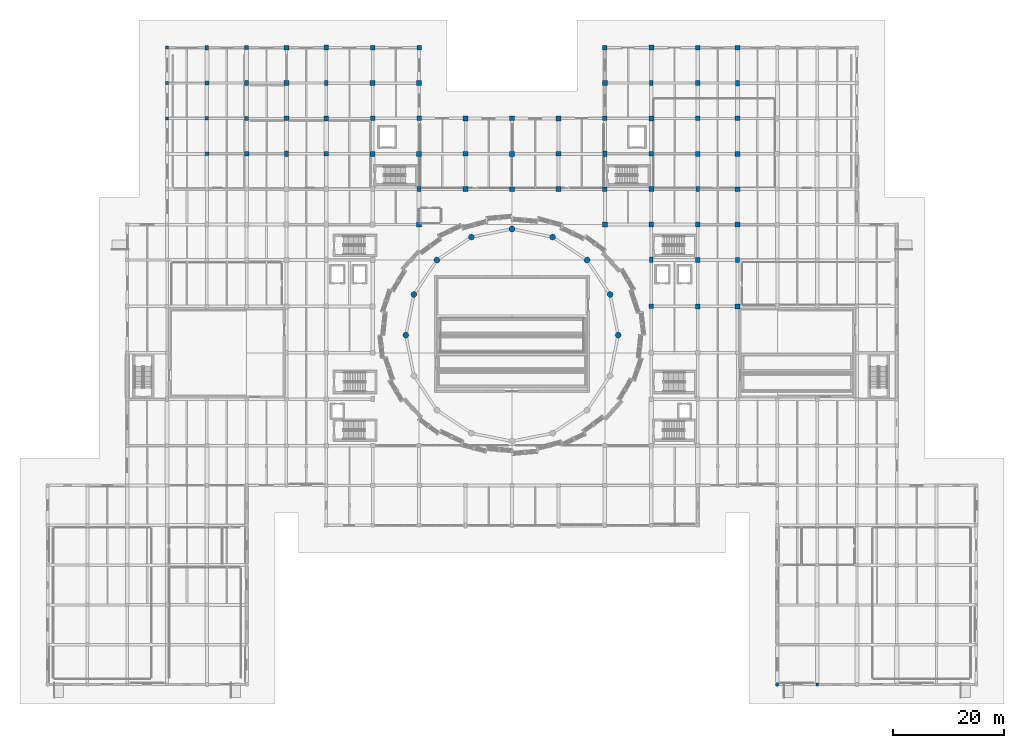
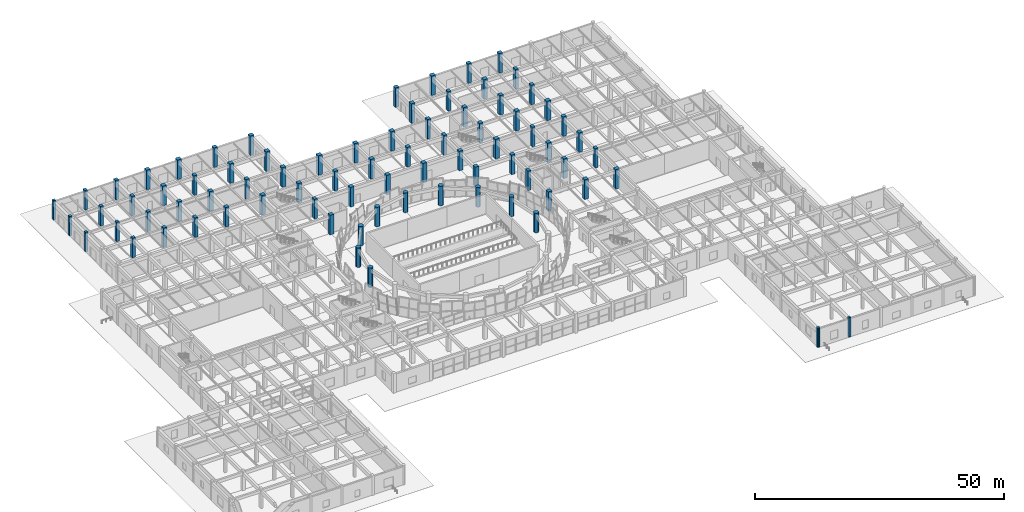
# One storey, part 2 of 72: 79 columns.
"""IFC4 building model written with IfcOpenShell, lengths in metres."""

import ifcopenshell
import ifcopenshell.guid

model = None  # the IFC model being written
_history = None  # IfcOwnerHistory: only IFC2X3 demands one
_inside = {}  # id of a spatial element -> (the spatial element, [elements in it])
_under = {}  # id of a project, library or spatial element -> (it, [spatial elements below it])
_declared = {}  # id of a project -> (the project, [libraries it declares])
_typed = {}  # id of a type object -> (the type object, [elements of that type])
_made_of = {}  # id of a material, layer set ... -> (it, [elements and type objects made of it])


def new_model(schema):
    """Start an empty IFC model of exactly this schema.

    Asked for "IFC4X3", IfcOpenShell would pick the latest addendum, in which some entities
    have other attributes; the version numbers below select the first issue.
    IFC2X3 requires an IfcOwnerHistory on every rooted entity: one is made here for all.
    """
    global model, _history
    if schema == "IFC4X3":
        model = ifcopenshell.file(schema_version=(4, 3, 0, 0))
    else:
        model = ifcopenshell.file(schema=schema)
    _inside.clear()
    _under.clear()
    _declared.clear()
    _typed.clear()
    _made_of.clear()
    _history = None
    if model.schema == "IFC2X3":
        org = make("IfcOrganization", Name="unknown")
        user = make(
            "IfcPersonAndOrganization",
            ThePerson=make("IfcPerson", FamilyName="unknown"),
            TheOrganization=org,
        )
        app = make(
            "IfcApplication",
            ApplicationDeveloper=org,
            Version="unknown",
            ApplicationFullName="unknown",
            ApplicationIdentifier="unknown",
        )
        _history = make(
            "IfcOwnerHistory",
            OwningUser=user,
            OwningApplication=app,
            ChangeAction="ADDED",
            CreationDate=0,
        )
    return model


def make(cls, **values):
    """One entity of the class cls with the attributes given. An attribute that is None is left unset."""
    return model.create_entity(
        cls, **{name: value for name, value in values.items() if value is not None}
    )


def rooted(cls, **values):
    """An entity with a GlobalId (a new one), such as an element, a storey or a relation."""
    return make(cls, GlobalId=ifcopenshell.guid.new(), OwnerHistory=_history, **values)


def si_unit(unit_type, name, prefix=None):
    """IfcSIUnit, for example si_unit("LENGTHUNIT", "METRE", prefix="MILLI")."""
    return make("IfcSIUnit", UnitType=unit_type, Prefix=prefix, Name=name)


def assignment(units):
    """IfcUnitAssignment: the units of a project."""
    return None if units is None else make("IfcUnitAssignment", Units=units)


def point(xyz):
    """IfcCartesianPoint."""
    return None if xyz is None else make("IfcCartesianPoint", Coordinates=xyz)


def direction(xyz):
    """IfcDirection."""
    return None if xyz is None else make("IfcDirection", DirectionRatios=xyz)


def frame(location, z_axis=None, x_axis=None):
    """IfcAxis2Placement3D, a coordinate frame: its origin and axes. An axis left out is left unset."""
    return make(
        "IfcAxis2Placement3D",
        Location=point(location),
        Axis=direction(z_axis),
        RefDirection=direction(x_axis),
    )


def frame_2d(location, x_axis=None):
    """IfcAxis2Placement2D, a coordinate frame in the plane: its origin and x axis."""
    return make(
        "IfcAxis2Placement2D", Location=point(location), RefDirection=direction(x_axis)
    )


def origin():
    """The frame at (0, 0, 0) with its axes left unset."""
    return frame((0.0, 0.0, 0.0))


def origin_2d():
    """The frame at (0, 0) in the plane with its x axis left unset."""
    return frame_2d((0.0, 0.0))


def place(relative_to, where):
    """IfcLocalPlacement: puts the frame where relative to a parent placement (None: the world)."""
    return make(
        "IfcLocalPlacement", PlacementRelTo=relative_to, RelativePlacement=where
    )


def context(
    kind, dimensions, precision=None, world=None, true_north=None, identifier=None
):
    """IfcGeometricRepresentationContext, for example the 3D "Model" context."""
    return make(
        "IfcGeometricRepresentationContext",
        ContextIdentifier=identifier,
        ContextType=kind,
        CoordinateSpaceDimension=dimensions,
        Precision=precision,
        WorldCoordinateSystem=world,
        TrueNorth=true_north,
    )


def subcontext(parent, identifier, kind, view, scale=None):
    """IfcGeometricRepresentationSubContext, for example "Body" below "Model"."""
    return make(
        "IfcGeometricRepresentationSubContext",
        ContextIdentifier=identifier,
        ContextType=kind,
        ParentContext=parent,
        TargetScale=scale,
        TargetView=view,
    )


def project(units=None, contexts=None):
    """IfcProject with its units and contexts."""
    return rooted(
        "IfcProject",
        Name="project",
        RepresentationContexts=contexts,
        UnitsInContext=assignment(units),
    )


def spatial(cls, under=None, at=None, **own):
    """A site, building, storey or space (cls), placed at a placement, below another one or the project."""
    s = rooted(cls, ObjectPlacement=at, **own)
    if under is not None:
        _under.setdefault(under.id(), (under, []))[1].append(s)
    return s


def profile(cls, at=None, kind="AREA", **sizes):
    """A parametric profile (cls). Its sizes go by their IFC names, for example OverallWidth=200.0."""
    return make(cls, ProfileType=kind, Position=at, **sizes)


def rectangle(**sizes):
    """IfcRectangleProfileDef."""
    return profile("IfcRectangleProfileDef", **sizes)


def circle(**sizes):
    """IfcCircleProfileDef."""
    return profile("IfcCircleProfileDef", **sizes)


def extrude(swept, where, along, depth):
    """IfcExtrudedAreaSolid: the profile swept, set in the frame where, extruded along a direction by depth."""
    return make(
        "IfcExtrudedAreaSolid",
        SweptArea=swept,
        Position=where,
        ExtrudedDirection=direction(along),
        Depth=depth,
    )


def shape(context_of_items, identifier, shape_type, items):
    """IfcShapeRepresentation: the items that make up one representation, for example the "Body"."""
    return make(
        "IfcShapeRepresentation",
        ContextOfItems=context_of_items,
        RepresentationIdentifier=identifier,
        RepresentationType=shape_type,
        Items=items,
    )


def material(Name=None, Category=None):
    """IfcMaterial."""
    return make("IfcMaterial", Name=Name, Category=Category)


def material_profile(
    of_material, cross_section, Name=None, Category=None, Priority=None
):
    """IfcMaterialProfile: a cross section and its material."""
    return make(
        "IfcMaterialProfile",
        Name=Name,
        Material=of_material,
        Profile=cross_section,
        Priority=Priority,
        Category=Category,
    )


def profile_set(profiles, Name=None, composite=None):
    """IfcMaterialProfileSet."""
    return make(
        "IfcMaterialProfileSet",
        Name=Name,
        MaterialProfiles=profiles,
        CompositeProfile=composite,
    )


def made_of(thing, what):
    """Note that an element or type object is made of a material, layer set ...; save() writes the relation."""
    if what is not None:
        _made_of.setdefault(what.id(), (what, []))[1].append(thing)
    return thing


def type_object(cls, material=None, **own):
    """A type object (cls), such as IfcWallType, which elements share."""
    return made_of(rooted(cls, **own), material)


def element(
    cls,
    number,
    at=None,
    inside=None,
    cuts=None,
    type_object=None,
    material=None,
    context=None,
    identifier="Body",
    shape_type=None,
    held_by="IfcProductDefinitionShape",
    body=None,
    shapes=None,
    **own,
):
    """One element of the class cls, such as IfcWall. Its Tag is "e" and its number.

    at: its placement. inside: the storey or other place that contains it. cuts: it is an
    opening in that element (IfcRelVoidsElement). A single representation is given by context,
    identifier, shape_type and body (its items); several are given by shapes. held_by: the class
    of the entity that holds the representations. save() writes the other relations.
    """
    e = rooted(cls, Tag="e%d" % number, ObjectPlacement=at, **own)
    if body is not None:
        shapes = [shape(context, identifier, shape_type, body)]
    if shapes is not None:
        e.Representation = make(held_by, Representations=shapes)
    if inside is not None:
        _inside.setdefault(inside.id(), (inside, []))[1].append(e)
    if cuts is not None:
        rooted(
            "IfcRelVoidsElement", RelatingBuildingElement=cuts, RelatedOpeningElement=e
        )
    if type_object is not None:
        _typed.setdefault(type_object.id(), (type_object, []))[1].append(e)
    return made_of(e, material)


def aggregate(whole, parts):
    """IfcRelAggregates: a whole, such as a stair, and the parts it consists of."""
    return rooted("IfcRelAggregates", RelatingObject=whole, RelatedObjects=parts)


def save(model, path):
    """Write the relations noted so far, then the file.

    IfcRelAggregates (storeys below a building ...), IfcRelContainedInSpatialStructure (elements
    in a storey), IfcRelDefinesByType, IfcRelAssociatesMaterial and IfcRelDeclares: one each for
    every whole, place, type object, material and project.
    """
    for whole, parts in _under.values():
        aggregate(whole, parts)
    for where, things in _inside.values():
        rooted(
            "IfcRelContainedInSpatialStructure",
            RelatedElements=things,
            RelatingStructure=where,
        )
    for kind, things in _typed.values():
        rooted("IfcRelDefinesByType", RelatedObjects=things, RelatingType=kind)
    for what, things in _made_of.values():
        rooted("IfcRelAssociatesMaterial", RelatedObjects=things, RelatingMaterial=what)
    for by, libraries in _declared.values():
        rooted("IfcRelDeclares", RelatingContext=by, RelatedDefinitions=libraries)
    model.write(path)


model = new_model("IFC4")

# Units and contexts
model_context = context("Model", 3, precision=1e-05, world=origin(), true_north=direction((0.0, 1.0)))
body_context = subcontext(model_context, "Body", "Model", "MODEL_VIEW")
ifc_project = project(units=[si_unit("LENGTHUNIT", "METRE"), si_unit("AREAUNIT", "SQUARE_METRE"), si_unit("VOLUMEUNIT", "CUBIC_METRE"), si_unit("PLANEANGLEUNIT", "RADIAN"), si_unit("MASSUNIT", "GRAM", prefix="KILO")], contexts=[model_context])

# Site, building, storey
site_placement = place(None, origin())
site = spatial("IfcSite", under=ifc_project, at=site_placement, CompositionType="ELEMENT")
building_placement = place(site_placement, origin())
building = spatial("IfcBuilding", under=site, at=building_placement, Name="Korsvaeld Concert Hall", CompositionType="ELEMENT")
storey_placement = place(building_placement, origin())
storey = spatial("IfcBuildingStorey", under=building, at=storey_placement, Name="L00", CompositionType="ELEMENT", Elevation=0.0)

# Columns
ifc_material = material(Name="Concrete C40/50", Category="concrete")
ifc_material_profile_1 = material_profile(ifc_material, circle(Radius=0.324951171875, at=origin_2d()), Name="RC D650")
ifc_profile_set_1 = profile_set([ifc_material_profile_1], Name="Concrete C40/50")
column_type_1 = type_object("IfcColumnType", Name="COL-COLO-D650", PredefinedType="COLUMN", material=ifc_profile_set_1)
column_1_placement = place(storey_placement, frame((132.0, 0.0, 0.0), z_axis=(0.0, 0.0, 1.0), x_axis=(1.0, 0.0, 0.0)))
element("IfcColumn", 1, at=column_1_placement, inside=storey, type_object=column_type_1, Name="Column 18/A L00", PredefinedType="COLUMN", context=body_context, shape_type="SweptSolid", body=[
    extrude(circle(Radius=0.324951171875, at=origin_2d()), origin(), (0.0, 0.0, 1.0), 4.800048828125),
])
ifc_material_profile_2 = material_profile(ifc_material, circle(Radius=0.52490234375, at=origin_2d()), Name="RC D1050")
ifc_profile_set_2 = profile_set([ifc_material_profile_2], Name="Concrete C40/50")
column_type_2 = type_object("IfcColumnType", Name="COL-DRUM-D1050", PredefinedType="COLUMN", material=ifc_profile_set_2)
for number, where, z_axis, x_axis, name in (
    (2, (103.199951171875, 63.199951171875, 0.0), (0.0, 0.0, 1.0), (1.0, 0.0, 0.0), "Drum column D01 L00"),
    (3, (101.738525390625, 70.547607421875, 0.0), (0.0, 0.0, 1.0), (1.0, 0.0, 0.0), "Drum column D02 L00"),
    (4, (97.576416015625, 76.776611328125, 0.0), (0.0, 0.0, 1.0), (1.0, 0.0, 0.0), "Drum column D03 L00"),
    (5, (91.347412109375, 80.9384765625, 0.0), (0.0, 0.0, 1.0), (1.0, 0.0, 0.0), "Drum column D04 L00"),
    (6, (84.0, 82.39990234375, 0.0), (0.0, 0.0, 1.0), (1.0, 0.0, 0.0), "Drum column D05 L00"),
    (7, (76.652587890625, 80.9384765625, 0.0), (0.0, 0.0, 1.0), (1.0, 0.0, 0.0), "Drum column D06 L00"),
    (8, (70.423583984375, 76.776611328125, 0.0), (0.0, 0.0, 1.0), (1.0, 0.0, 0.0), "Drum column D07 L00"),
    (9, (66.261474609375, 70.547607421875, 0.0), (0.0, 0.0, 1.0), (1.0, 0.0, 0.0), "Drum column D08 L00"),
    (10, (64.800048828125, 63.199951171875, 0.0), (0.0, 0.0, 1.0), (1.0, 0.0, 0.0), "Drum column D09 L00"),
):
    element("IfcColumn", number, at=place(storey_placement, frame(where, z_axis=z_axis, x_axis=x_axis)), inside=storey, type_object=column_type_2, Name=name, PredefinedType="COLUMN", context=body_context, shape_type="SweptSolid", body=[
        extrude(circle(Radius=0.52490234375, at=origin_2d()), origin(), (0.0, 0.0, 1.0), 4.800048828125),
    ])
ifc_material_profile_3 = material_profile(ifc_material, rectangle(XDim=0.5, YDim=0.5, at=origin_2d()), Name="RC 500x500")
ifc_profile_set_3 = profile_set([ifc_material_profile_3], Name="Concrete C40/50")
column_type_3 = type_object("IfcColumnType", Name="COL-RC-500x500", PredefinedType="COLUMN", material=ifc_profile_set_3)
column_2_placement = place(storey_placement, frame((139.199951171875, 0.0, 0.0), z_axis=(0.0, 0.0, 1.0), x_axis=(1.0, 0.0, 0.0)))
element("IfcColumn", 11, at=column_2_placement, inside=storey, type_object=column_type_3, Name="Column 19/A L00", PredefinedType="COLUMN", context=body_context, shape_type="SweptSolid", body=[
    extrude(rectangle(XDim=0.5, YDim=0.5, at=origin_2d()), origin(), (0.0, 0.0, 1.0), 4.800048828125),
])
ifc_material_profile_4 = material_profile(ifc_material, rectangle(XDim=0.550048828125, YDim=0.550048828125, at=origin_2d()), Name="RC 550x550")
ifc_profile_set_4 = profile_set([ifc_material_profile_4], Name="Concrete C40/50")
column_type_4 = type_object("IfcColumnType", Name="COL-RC-550x550", PredefinedType="COLUMN", material=ifc_profile_set_4)
for number, where, z_axis, x_axis, name in (
    (12, (21.60009765625, 102.39990234375, 0.0), (0.0, 0.0, 1.0), (1.0, 0.0, 0.0), "Column 4/Q L00"),
    (13, (21.60009765625, 115.199951171875, 0.0), (0.0, 0.0, 1.0), (1.0, 0.0, 0.0), "Column 4/S L00"),
):
    element("IfcColumn", number, at=place(storey_placement, frame(where, z_axis=z_axis, x_axis=x_axis)), inside=storey, type_object=column_type_4, Name=name, PredefinedType="COLUMN", context=body_context, shape_type="SweptSolid", body=[
        extrude(rectangle(XDim=0.550048828125, YDim=0.550048828125, at=origin_2d()), origin(), (0.0, 0.0, 1.0), 4.800048828125),
    ])
ifc_material_profile_5 = material_profile(ifc_material, rectangle(XDim=0.60009765625, YDim=0.60009765625, at=origin_2d()), Name="RC 600x600")
ifc_profile_set_5 = profile_set([ifc_material_profile_5], Name="Concrete C40/50")
column_type_5 = type_object("IfcColumnType", Name="COL-RC-600x600", PredefinedType="COLUMN", material=ifc_profile_set_5)
column_3_placement = place(storey_placement, frame((21.60009765625, 108.800048828125, 0.0), z_axis=(0.0, 0.0, 1.0), x_axis=(1.0, 0.0, 0.0)))
element("IfcColumn", 14, at=column_3_placement, inside=storey, type_object=column_type_5, Name="Column 4/R L00", PredefinedType="COLUMN", context=body_context, shape_type="SweptSolid", body=[
    extrude(rectangle(XDim=0.60009765625, YDim=0.60009765625, at=origin_2d()), origin(), (0.0, 0.0, 1.0), 4.800048828125),
])
ifc_material_profile_6 = material_profile(ifc_material, rectangle(XDim=0.60009765625, YDim=0.800048828125, at=origin_2d()), Name="RC 600x800")
ifc_profile_set_6 = profile_set([ifc_material_profile_6], Name="Concrete C40/50")
column_type_6 = type_object("IfcColumnType", Name="COL-RC-600x800", PredefinedType="COLUMN", material=ifc_profile_set_6)
column_4_placement = place(storey_placement, frame((28.800048828125, 115.199951171875, 0.0), z_axis=(0.0, 0.0, 1.0), x_axis=(1.0, 0.0, 0.0)))
element("IfcColumn", 15, at=column_4_placement, inside=storey, type_object=column_type_6, Name="Column 5/S L00", PredefinedType="COLUMN", context=body_context, shape_type="SweptSolid", body=[
    extrude(rectangle(XDim=0.60009765625, YDim=0.800048828125, at=origin_2d()), origin(), (0.0, 0.0, 1.0), 4.800048828125),
])
ifc_material_profile_7 = material_profile(ifc_material, rectangle(XDim=0.64990234375, YDim=0.64990234375, at=origin_2d()), Name="RC 650x650")
ifc_profile_set_7 = profile_set([ifc_material_profile_7], Name="Concrete C40/50")
column_type_7 = type_object("IfcColumnType", Name="COL-RC-650x650", PredefinedType="COLUMN", material=ifc_profile_set_7)
column_5_placement = place(storey_placement, frame((28.800048828125, 102.39990234375, 0.0), z_axis=(0.0, 0.0, 1.0), x_axis=(1.0, 0.0, 0.0)))
element("IfcColumn", 16, at=column_5_placement, inside=storey, type_object=column_type_7, Name="Column 5/Q L00", PredefinedType="COLUMN", context=body_context, shape_type="SweptSolid", body=[
    extrude(rectangle(XDim=0.64990234375, YDim=0.64990234375, at=origin_2d()), origin(), (0.0, 0.0, 1.0), 4.800048828125),
])
ifc_material_profile_8 = material_profile(ifc_material, rectangle(XDim=0.699951171875, YDim=1.0, at=origin_2d()), Name="RC 700x1000")
ifc_profile_set_8 = profile_set([ifc_material_profile_8], Name="Concrete C40/50")
column_type_8 = type_object("IfcColumnType", Name="COL-RC-700x1000", PredefinedType="COLUMN", material=ifc_profile_set_8)
for number, where, z_axis, x_axis, name in (
    (17, (100.800048828125, 96.0, 0.0), (0.0, 0.0, 1.0), (1.0, 0.0, 0.0), "Column 14/P L00"),
    (18, (109.199951171875, 76.800048828125, 0.0), (0.0, 0.0, 1.0), (1.0, 0.0, 0.0), "Column 15/L L00"),
    (19, (124.800048828125, 108.800048828125, 0.0), (0.0, 0.0, 1.0), (1.0, 0.0, 0.0), "Column 17/R L00"),
    (20, (43.199951171875, 96.0, 0.0), (0.0, 0.0, 1.0), (1.0, 0.0, 0.0), "Column 7/P L00"),
):
    element("IfcColumn", number, at=place(storey_placement, frame(where, z_axis=z_axis, x_axis=x_axis)), inside=storey, type_object=column_type_8, Name=name, PredefinedType="COLUMN", context=body_context, shape_type="SweptSolid", body=[
        extrude(rectangle(XDim=0.699951171875, YDim=1.0, at=origin_2d()), origin(), (0.0, 0.0, 1.0), 4.800048828125),
    ])
ifc_material_profile_9 = material_profile(ifc_material, rectangle(XDim=0.699951171875, YDim=0.699951171875, at=origin_2d()), Name="RC 700x700")
ifc_profile_set_9 = profile_set([ifc_material_profile_9], Name="Concrete C40/50")
column_type_9 = type_object("IfcColumnType", Name="COL-RC-700x700", PredefinedType="COLUMN", material=ifc_profile_set_9)
for number, where, z_axis, x_axis, name in (
    (21, (28.800048828125, 96.0, 0.0), (0.0, 0.0, 1.0), (1.0, 0.0, 0.0), "Column 5/P L00"),
    (22, (28.800048828125, 108.800048828125, 0.0), (0.0, 0.0, 1.0), (1.0, 0.0, 0.0), "Column 5/R L00"),
):
    element("IfcColumn", number, at=place(storey_placement, frame(where, z_axis=z_axis, x_axis=x_axis)), inside=storey, type_object=column_type_9, Name=name, PredefinedType="COLUMN", context=body_context, shape_type="SweptSolid", body=[
        extrude(rectangle(XDim=0.699951171875, YDim=0.699951171875, at=origin_2d()), origin(), (0.0, 0.0, 1.0), 4.800048828125),
    ])
ifc_material_profile_10 = material_profile(ifc_material, rectangle(XDim=0.699951171875, YDim=0.89990234375, at=origin_2d()), Name="RC 700x900")
ifc_profile_set_10 = profile_set([ifc_material_profile_10], Name="Concrete C40/50")
column_type_10 = type_object("IfcColumnType", Name="COL-RC-700x900", PredefinedType="COLUMN", material=ifc_profile_set_10)
for number, where, z_axis, x_axis, name in (
    (23, (67.199951171875, 89.60009765625, 0.0), (0.0, 0.0, 1.0), (1.0, 0.0, 0.0), "Column 10/N L00"),
    (24, (109.199951171875, 108.800048828125, 0.0), (0.0, 0.0, 1.0), (1.0, 0.0, 0.0), "Column 15/R L00"),
    (25, (117.60009765625, 89.60009765625, 0.0), (0.0, 0.0, 1.0), (1.0, 0.0, 0.0), "Column 16/N L00"),
    (26, (124.800048828125, 76.800048828125, 0.0), (0.0, 0.0, 1.0), (1.0, 0.0, 0.0), "Column 17/L L00"),
    (27, (36.0, 108.800048828125, 0.0), (0.0, 0.0, 1.0), (1.0, 0.0, 0.0), "Column 6/R L00"),
    (28, (50.39990234375, 108.800048828125, 0.0), (0.0, 0.0, 1.0), (1.0, 0.0, 0.0), "Column 8/R L00"),
):
    element("IfcColumn", number, at=place(storey_placement, frame(where, z_axis=z_axis, x_axis=x_axis)), inside=storey, type_object=column_type_10, Name=name, PredefinedType="COLUMN", context=body_context, shape_type="SweptSolid", body=[
        extrude(rectangle(XDim=0.699951171875, YDim=0.89990234375, at=origin_2d()), origin(), (0.0, 0.0, 1.0), 4.800048828125),
    ])
ifc_material_profile_11 = material_profile(ifc_material, rectangle(XDim=0.75, YDim=0.75, at=origin_2d()), Name="RC 750x750")
ifc_profile_set_11 = profile_set([ifc_material_profile_11], Name="Concrete C40/50")
column_type_11 = type_object("IfcColumnType", Name="COL-RC-750x750", PredefinedType="COLUMN", material=ifc_profile_set_11)
for number, where, z_axis, x_axis, name in (
    (29, (36.0, 102.39990234375, 0.0), (0.0, 0.0, 1.0), (1.0, 0.0, 0.0), "Column 6/Q L00"),
    (30, (36.0, 115.199951171875, 0.0), (0.0, 0.0, 1.0), (1.0, 0.0, 0.0), "Column 6/S L00"),
):
    element("IfcColumn", number, at=place(storey_placement, frame(where, z_axis=z_axis, x_axis=x_axis)), inside=storey, type_object=column_type_11, Name=name, PredefinedType="COLUMN", context=body_context, shape_type="SweptSolid", body=[
        extrude(rectangle(XDim=0.75, YDim=0.75, at=origin_2d()), origin(), (0.0, 0.0, 1.0), 4.800048828125),
    ])
ifc_material_profile_12 = material_profile(ifc_material, rectangle(XDim=0.800048828125, YDim=0.800048828125, at=origin_2d()), Name="RC 800x800")
ifc_profile_set_12 = profile_set([ifc_material_profile_12], Name="Concrete C40/50")
column_type_12 = type_object("IfcColumnType", Name="COL-RC-800x800", PredefinedType="COLUMN", material=ifc_profile_set_12)
column_6_placement = place(storey_placement, frame((36.0, 96.0, 0.0), z_axis=(0.0, 0.0, 1.0), x_axis=(1.0, 0.0, 0.0)))
element("IfcColumn", 31, at=column_6_placement, inside=storey, type_object=column_type_12, Name="Column 6/P L00", PredefinedType="COLUMN", context=body_context, shape_type="SweptSolid", body=[
    extrude(rectangle(XDim=0.800048828125, YDim=0.800048828125, at=origin_2d()), origin(), (0.0, 0.0, 1.0), 4.800048828125),
])
ifc_material_profile_13 = material_profile(ifc_material, rectangle(XDim=0.85009765625, YDim=0.85009765625, at=origin_2d()), Name="RC 850x850")
ifc_profile_set_13 = profile_set([ifc_material_profile_13], Name="Concrete C40/50")
column_type_13 = type_object("IfcColumnType", Name="COL-RC-850x850", PredefinedType="COLUMN", material=ifc_profile_set_13)
for number, where, z_axis, x_axis, name in (
    (32, (67.199951171875, 102.39990234375, 0.0), (0.0, 0.0, 1.0), (1.0, 0.0, 0.0), "Column 10/Q L00"),
    (33, (67.199951171875, 115.199951171875, 0.0), (0.0, 0.0, 1.0), (1.0, 0.0, 0.0), "Column 10/S L00"),
    (34, (75.60009765625, 96.0, 0.0), (0.0, 0.0, 1.0), (1.0, 0.0, 0.0), "Column 11/P L00"),
    (35, (84.0, 89.60009765625, 0.0), (0.0, 0.0, 1.0), (1.0, 0.0, 0.0), "Column 12/N L00"),
    (36, (84.0, 102.39990234375, 0.0), (0.0, 0.0, 1.0), (1.0, 0.0, 0.0), "Column 12/Q L00"),
    (37, (92.39990234375, 96.0, 0.0), (0.0, 0.0, 1.0), (1.0, 0.0, 0.0), "Column 13/P L00"),
    (38, (100.800048828125, 89.60009765625, 0.0), (0.0, 0.0, 1.0), (1.0, 0.0, 0.0), "Column 14/N L00"),
    (39, (100.800048828125, 102.39990234375, 0.0), (0.0, 0.0, 1.0), (1.0, 0.0, 0.0), "Column 14/Q L00"),
    (40, (100.800048828125, 115.199951171875, 0.0), (0.0, 0.0, 1.0), (1.0, 0.0, 0.0), "Column 14/S L00"),
    (41, (109.199951171875, 68.39990234375, 0.0), (0.0, 0.0, 1.0), (1.0, 0.0, 0.0), "Column 15/K L00"),
    (42, (109.199951171875, 83.199951171875, 0.0), (0.0, 0.0, 1.0), (1.0, 0.0, 0.0), "Column 15/M L00"),
    (43, (109.199951171875, 96.0, 0.0), (0.0, 0.0, 1.0), (1.0, 0.0, 0.0), "Column 15/P L00"),
    (44, (117.60009765625, 76.800048828125, 0.0), (0.0, 0.0, 1.0), (1.0, 0.0, 0.0), "Column 16/L L00"),
    (45, (117.60009765625, 102.39990234375, 0.0), (0.0, 0.0, 1.0), (1.0, 0.0, 0.0), "Column 16/Q L00"),
    (46, (117.60009765625, 115.199951171875, 0.0), (0.0, 0.0, 1.0), (1.0, 0.0, 0.0), "Column 16/S L00"),
    (47, (124.800048828125, 89.60009765625, 0.0), (0.0, 0.0, 1.0), (1.0, 0.0, 0.0), "Column 17/N L00"),
    (48, (124.800048828125, 102.39990234375, 0.0), (0.0, 0.0, 1.0), (1.0, 0.0, 0.0), "Column 17/Q L00"),
    (49, (124.800048828125, 115.199951171875, 0.0), (0.0, 0.0, 1.0), (1.0, 0.0, 0.0), "Column 17/S L00"),
    (50, (43.199951171875, 102.39990234375, 0.0), (0.0, 0.0, 1.0), (1.0, 0.0, 0.0), "Column 7/Q L00"),
    (51, (43.199951171875, 115.199951171875, 0.0), (0.0, 0.0, 1.0), (1.0, 0.0, 0.0), "Column 7/S L00"),
    (52, (50.39990234375, 96.0, 0.0), (0.0, 0.0, 1.0), (1.0, 0.0, 0.0), "Column 8/P L00"),
    (53, (58.800048828125, 102.39990234375, 0.0), (0.0, 0.0, 1.0), (1.0, 0.0, 0.0), "Column 9/Q L00"),
    (54, (58.800048828125, 115.199951171875, 0.0), (0.0, 0.0, 1.0), (1.0, 0.0, 0.0), "Column 9/S L00"),
):
    element("IfcColumn", number, at=place(storey_placement, frame(where, z_axis=z_axis, x_axis=x_axis)), inside=storey, type_object=column_type_13, Name=name, PredefinedType="COLUMN", context=body_context, shape_type="SweptSolid", body=[
        extrude(rectangle(XDim=0.85009765625, YDim=0.85009765625, at=origin_2d()), origin(), (0.0, 0.0, 1.0), 4.800048828125),
    ])
ifc_material_profile_14 = material_profile(ifc_material, rectangle(XDim=0.89990234375, YDim=0.89990234375, at=origin_2d()), Name="RC 900x900")
ifc_profile_set_14 = profile_set([ifc_material_profile_14], Name="Concrete C40/50")
column_type_14 = type_object("IfcColumnType", Name="COL-RC-900x900", PredefinedType="COLUMN", material=ifc_profile_set_14)
for number, where, z_axis, x_axis, name in (
    (55, (67.199951171875, 83.199951171875, 0.0), (0.0, 0.0, 1.0), (1.0, 0.0, 0.0), "Column 10/M L00"),
    (56, (67.199951171875, 96.0, 0.0), (0.0, 0.0, 1.0), (1.0, 0.0, 0.0), "Column 10/P L00"),
    (57, (67.199951171875, 108.800048828125, 0.0), (0.0, 0.0, 1.0), (1.0, 0.0, 0.0), "Column 10/R L00"),
    (58, (75.60009765625, 89.60009765625, 0.0), (0.0, 0.0, 1.0), (1.0, 0.0, 0.0), "Column 11/N L00"),
    (59, (75.60009765625, 102.39990234375, 0.0), (0.0, 0.0, 1.0), (1.0, 0.0, 0.0), "Column 11/Q L00"),
    (60, (84.0, 96.0, 0.0), (0.0, 0.0, 1.0), (1.0, 0.0, 0.0), "Column 12/P L00"),
    (61, (92.39990234375, 89.60009765625, 0.0), (0.0, 0.0, 1.0), (1.0, 0.0, 0.0), "Column 13/N L00"),
    (62, (92.39990234375, 102.39990234375, 0.0), (0.0, 0.0, 1.0), (1.0, 0.0, 0.0), "Column 13/Q L00"),
    (63, (100.800048828125, 83.199951171875, 0.0), (0.0, 0.0, 1.0), (1.0, 0.0, 0.0), "Column 14/M L00"),
    (64, (100.800048828125, 108.800048828125, 0.0), (0.0, 0.0, 1.0), (1.0, 0.0, 0.0), "Column 14/R L00"),
    (65, (109.199951171875, 89.60009765625, 0.0), (0.0, 0.0, 1.0), (1.0, 0.0, 0.0), "Column 15/N L00"),
    (66, (109.199951171875, 102.39990234375, 0.0), (0.0, 0.0, 1.0), (1.0, 0.0, 0.0), "Column 15/Q L00"),
    (67, (109.199951171875, 115.199951171875, 0.0), (0.0, 0.0, 1.0), (1.0, 0.0, 0.0), "Column 15/S L00"),
    (68, (117.60009765625, 68.39990234375, 0.0), (0.0, 0.0, 1.0), (1.0, 0.0, 0.0), "Column 16/K L00"),
    (69, (117.60009765625, 83.199951171875, 0.0), (0.0, 0.0, 1.0), (1.0, 0.0, 0.0), "Column 16/M L00"),
    (70, (117.60009765625, 96.0, 0.0), (0.0, 0.0, 1.0), (1.0, 0.0, 0.0), "Column 16/P L00"),
    (71, (117.60009765625, 108.800048828125, 0.0), (0.0, 0.0, 1.0), (1.0, 0.0, 0.0), "Column 16/R L00"),
    (72, (124.800048828125, 68.39990234375, 0.0), (0.0, 0.0, 1.0), (1.0, 0.0, 0.0), "Column 17/K L00"),
    (73, (124.800048828125, 83.199951171875, 0.0), (0.0, 0.0, 1.0), (1.0, 0.0, 0.0), "Column 17/M L00"),
    (74, (124.800048828125, 96.0, 0.0), (0.0, 0.0, 1.0), (1.0, 0.0, 0.0), "Column 17/P L00"),
    (75, (43.199951171875, 108.800048828125, 0.0), (0.0, 0.0, 1.0), (1.0, 0.0, 0.0), "Column 7/R L00"),
    (76, (50.39990234375, 102.39990234375, 0.0), (0.0, 0.0, 1.0), (1.0, 0.0, 0.0), "Column 8/Q L00"),
    (77, (50.39990234375, 115.199951171875, 0.0), (0.0, 0.0, 1.0), (1.0, 0.0, 0.0), "Column 8/S L00"),
    (78, (58.800048828125, 96.0, 0.0), (0.0, 0.0, 1.0), (1.0, 0.0, 0.0), "Column 9/P L00"),
    (79, (58.800048828125, 108.800048828125, 0.0), (0.0, 0.0, 1.0), (1.0, 0.0, 0.0), "Column 9/R L00"),
):
    element("IfcColumn", number, at=place(storey_placement, frame(where, z_axis=z_axis, x_axis=x_axis)), inside=storey, type_object=column_type_14, Name=name, PredefinedType="COLUMN", context=body_context, shape_type="SweptSolid", body=[
        extrude(rectangle(XDim=0.89990234375, YDim=0.89990234375, at=origin_2d()), origin(), (0.0, 0.0, 1.0), 4.800048828125),
    ])

save(model, "model.ifc")
